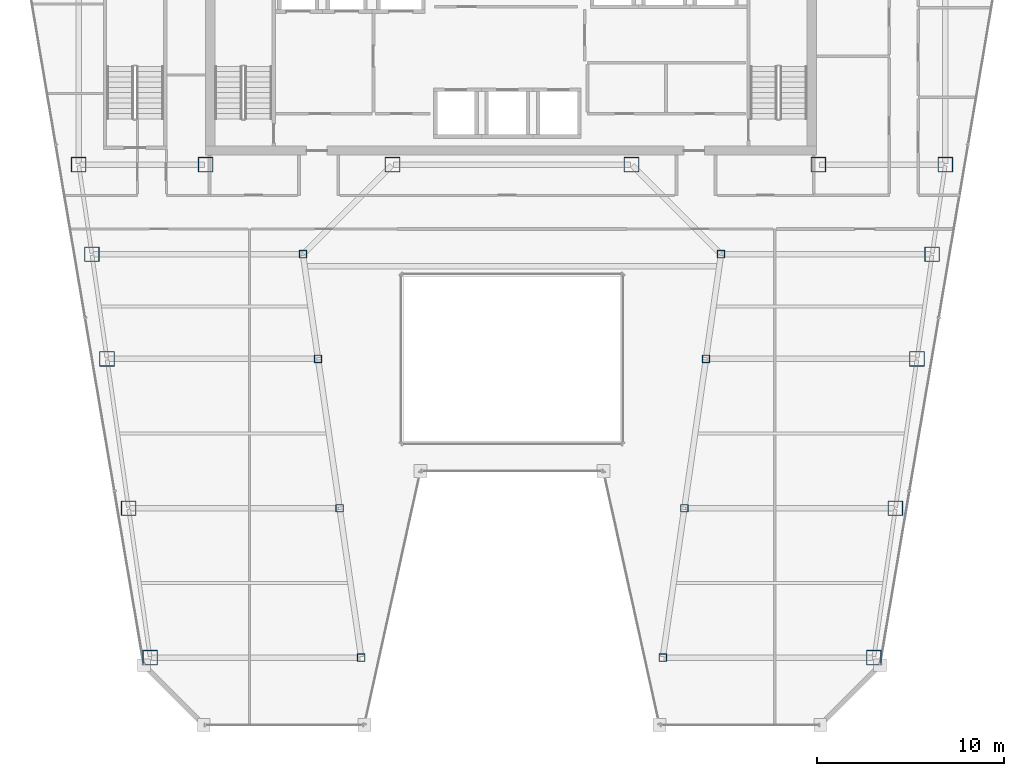
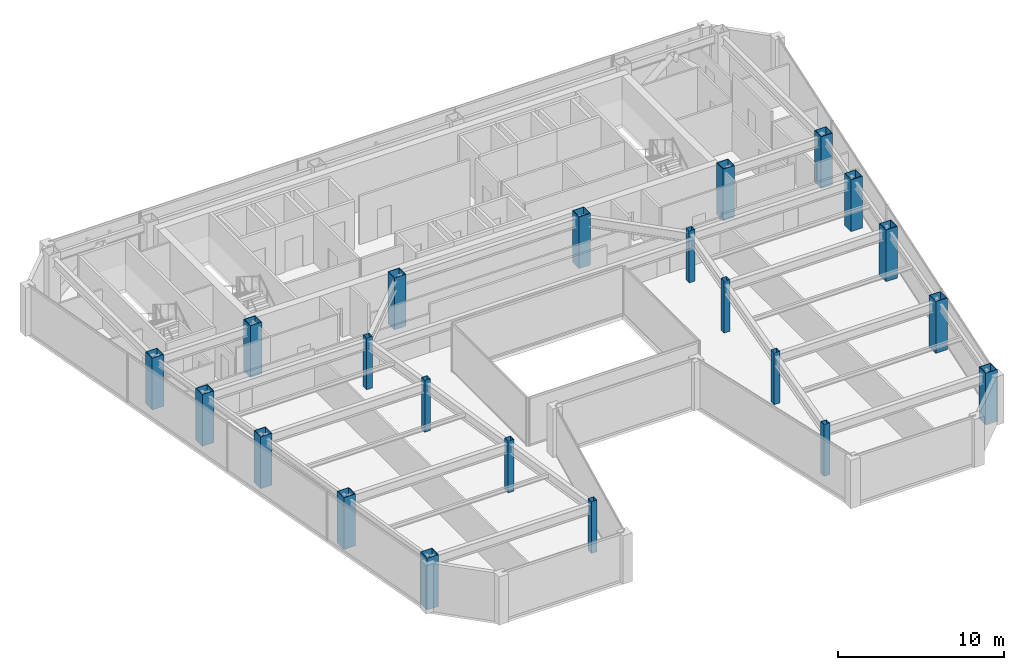
# One storey, part 1 of 35: 22 columns.
"""IFC4 building model written with IfcOpenShell, lengths in metres."""

from ifc_helpers import new_model, si_unit, direction, frame, origin, origin_2d, place, context, subcontext, project, spatial, hollow_rectangle, extrude, material, material_profile, profile_set, type_object, element, save


model = new_model("IFC4")

# Units and contexts
model_context = context("Model", 3, precision=1e-05, world=origin(), true_north=direction((0.0, 1.0)))
body_context = subcontext(model_context, "Body", "Model", "MODEL_VIEW")
ifc_project = project(units=[si_unit("LENGTHUNIT", "METRE"), si_unit("AREAUNIT", "SQUARE_METRE"), si_unit("VOLUMEUNIT", "CUBIC_METRE"), si_unit("PLANEANGLEUNIT", "RADIAN"), si_unit("MASSUNIT", "GRAM", prefix="KILO")], contexts=[model_context])

# Site, building, storey
site_placement = place(None, origin())
site = spatial("IfcSite", under=ifc_project, at=site_placement, CompositionType="ELEMENT")
building_placement = place(site_placement, origin())
building = spatial("IfcBuilding", under=site, at=building_placement, Name="Saevonmaru Cultural Tower", CompositionType="ELEMENT")
storey_placement = place(building_placement, frame((0.0, 0.0, 217.0)))
storey = spatial("IfcBuildingStorey", under=building, at=storey_placement, Name="L50", CompositionType="ELEMENT", Elevation=217.0)

# Columns
ifc_material_1 = material(Name="Steel SM420", Category="steel")
ifc_material_profile_1 = material_profile(ifc_material_1, hollow_rectangle(XDim=0.800048828125, YDim=0.800048828125, WallThickness=0.035888671875, at=origin_2d()), Name="BOX-800x800x36")
ifc_profile_set_1 = profile_set([ifc_material_profile_1], Name="Steel SM420")
column_type_1 = type_object("IfcColumnType", Name="COL-BOX-800", PredefinedType="COLUMN", material=ifc_profile_set_1)
for number, where, z_axis, x_axis, name in (
    (1, (6.800048828125, 42.39990234375, 0.0), (0.0, 0.0, 1.0), (1.0, 0.0, 0.0), "L50 Column TC-S1C"),
    (2, (13.60009765625, 42.39990234375, 0.0), (0.0, 0.0, 1.0), (1.0, 0.0, 0.0), "L50 Column TC-S2C"),
    (3, (23.60009765625, 42.39990234375, 0.0), (0.0, 0.0, 1.0), (1.0, 0.0, 0.0), "L50 Column TC-S3C"),
    (4, (36.39990234375, 42.39990234375, 0.0), (0.0, 0.0, 1.0), (1.0, 0.0, 0.0), "L50 Column TC-S4C"),
    (5, (46.39990234375, 42.39990234375, 0.0), (0.0, 0.0, 1.0), (1.0, 0.0, 0.0), "L50 Column TC-S5C"),
    (6, (53.199951171875, 42.39990234375, 0.0), (0.0, 0.0, 1.0), (1.0, 0.0, 0.0), "L50 Column TC-S6C"),
    (7, (10.6279296875, 16.0, 0.0), (0.0, 0.0, 1.0), (1.0, 0.0, 0.0), "L50 Column TC-WO-Y160"),
    (8, (49.3720703125, 16.0, 0.0), (0.0, 0.0, 1.0), (1.0, 0.0, 0.0), "L50 Column TC-EO-Y160"),
    (9, (9.471923828125, 24.0, 0.0), (0.0, 0.0, 1.0), (1.0, 0.0, 0.0), "L50 Column TC-WO-Y240"),
    (10, (50.528076171875, 24.0, 0.0), (0.0, 0.0, 1.0), (1.0, 0.0, 0.0), "L50 Column TC-EO-Y240"),
    (11, (8.31689453125, 32.0, 0.0), (0.0, 0.0, 1.0), (1.0, 0.0, 0.0), "L50 Column TC-WO-Y320"),
    (12, (51.68310546875, 32.0, 0.0), (0.0, 0.0, 1.0), (1.0, 0.0, 0.0), "L50 Column TC-EO-Y320"),
    (13, (7.508056640625, 37.60009765625, 0.0), (0.0, 0.0, 1.0), (1.0, 0.0, 0.0), "L50 Column TC-WO-Y376"),
    (14, (52.491943359375, 37.60009765625, 0.0), (0.0, 0.0, 1.0), (1.0, 0.0, 0.0), "L50 Column TC-EO-Y376"),
):
    element("IfcColumn", number, at=place(storey_placement, frame(where, z_axis=z_axis, x_axis=x_axis)), inside=storey, type_object=column_type_1, Name=name, PredefinedType="COLUMN", context=body_context, shape_type="SweptSolid", body=[
        extrude(hollow_rectangle(XDim=0.800048828125, YDim=0.800048828125, WallThickness=0.035888671875, at=origin_2d()), origin(), (0.0, 0.0, 1.0), 3.800048828125),
    ])
ifc_material_2 = material(Name="Steel SM355", Category="steel")
ifc_material_profile_2 = material_profile(ifc_material_2, hollow_rectangle(XDim=0.39990234375, YDim=0.39990234375, WallThickness=0.01611328125, at=origin_2d()), Name="SHS-400x400x16")
ifc_profile_set_2 = profile_set([ifc_material_profile_2], Name="Steel SM355")
column_type_2 = type_object("IfcColumnType", Name="COL-SHS-400", PredefinedType="COLUMN", material=ifc_profile_set_2)
for number, where, z_axis, x_axis, name in (
    (15, (21.927978515625, 16.0, 0.0), (0.0, 0.0, 1.0), (1.0, 0.0, 0.0), "L50 Column TC-WI-Y160"),
    (16, (38.072021484375, 16.0, 0.0), (0.0, 0.0, 1.0), (1.0, 0.0, 0.0), "L50 Column TC-EI-Y160"),
    (17, (20.77197265625, 24.0, 0.0), (0.0, 0.0, 1.0), (1.0, 0.0, 0.0), "L50 Column TC-WI-Y240"),
    (18, (39.22802734375, 24.0, 0.0), (0.0, 0.0, 1.0), (1.0, 0.0, 0.0), "L50 Column TC-EI-Y240"),
    (19, (19.616943359375, 32.0, 0.0), (0.0, 0.0, 1.0), (1.0, 0.0, 0.0), "L50 Column TC-WI-Y320"),
    (20, (40.383056640625, 32.0, 0.0), (0.0, 0.0, 1.0), (1.0, 0.0, 0.0), "L50 Column TC-EI-Y320"),
    (21, (18.80810546875, 37.60009765625, 0.0), (0.0, 0.0, 1.0), (1.0, 0.0, 0.0), "L50 Column TC-WI-Y376"),
    (22, (41.19189453125, 37.60009765625, 0.0), (0.0, 0.0, 1.0), (1.0, 0.0, 0.0), "L50 Column TC-EI-Y376"),
):
    element("IfcColumn", number, at=place(storey_placement, frame(where, z_axis=z_axis, x_axis=x_axis)), inside=storey, type_object=column_type_2, Name=name, PredefinedType="COLUMN", context=body_context, shape_type="SweptSolid", body=[
        extrude(hollow_rectangle(XDim=0.39990234375, YDim=0.39990234375, WallThickness=0.01611328125, at=origin_2d()), origin(), (0.0, 0.0, 1.0), 3.800048828125),
    ])

save(model, "model.ifc")
